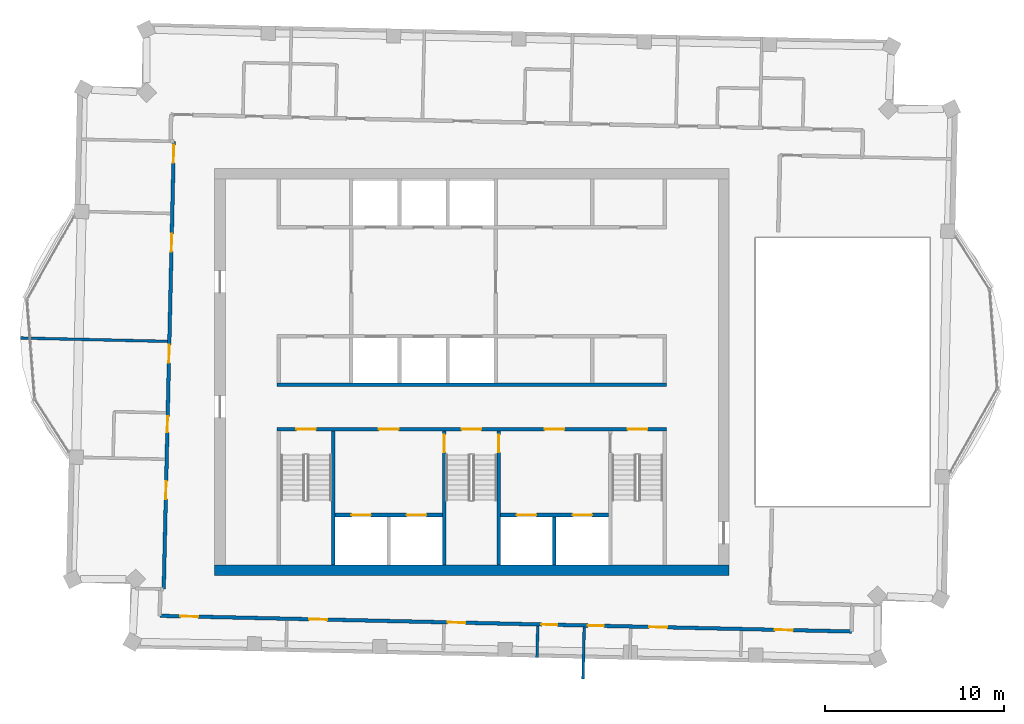
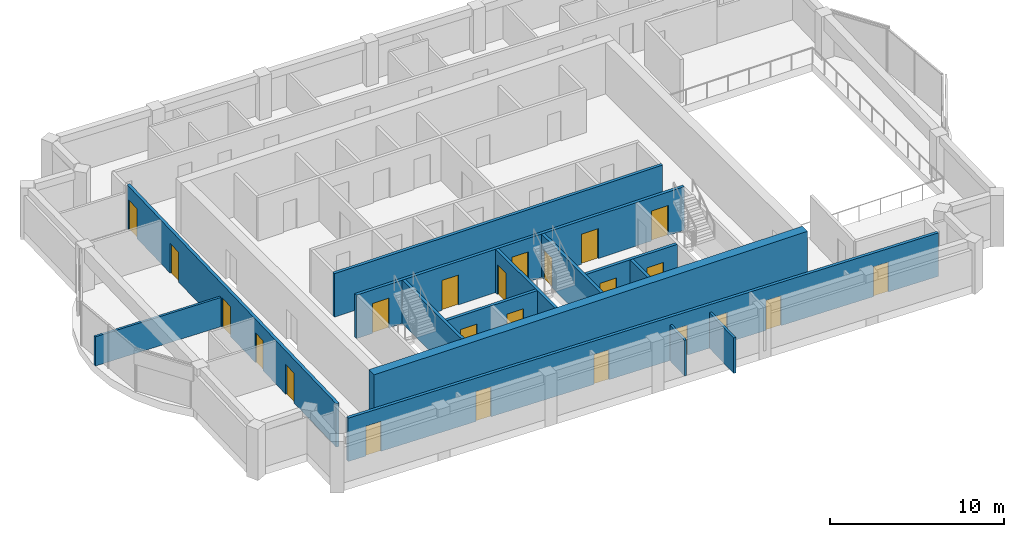
# One storey, part 7 of 12: 23 doors, 14 walls, 23 openings.
"""IFC4 building model written with IfcOpenShell, lengths in metres."""

from ifc_helpers import new_model, si_unit, direction, frame, frame_2d, origin, place, context, subcontext, project, spatial, rectangle, extrude, material, layer, layer_set, type_object, element, fill, save


model = new_model("IFC4")

# Units and contexts
model_context = context("Model", 3, precision=1e-05, world=origin(), true_north=direction((0.0, 1.0)))
body_context = subcontext(model_context, "Body", "Model", "MODEL_VIEW")
ifc_project = project(units=[si_unit("LENGTHUNIT", "METRE"), si_unit("AREAUNIT", "SQUARE_METRE"), si_unit("VOLUMEUNIT", "CUBIC_METRE"), si_unit("PLANEANGLEUNIT", "RADIAN"), si_unit("MASSUNIT", "GRAM", prefix="KILO")], contexts=[model_context])

# Site, building, storey
site_placement = place(None, origin())
site = spatial("IfcSite", under=ifc_project, at=site_placement, CompositionType="ELEMENT")
building_placement = place(site_placement, origin())
building = spatial("IfcBuilding", under=site, at=building_placement, Name="Mangrove Gate Tower", CompositionType="ELEMENT")
storey_placement = place(building_placement, frame((0.0, 0.0, 350.699951171875)))
storey = spatial("IfcBuildingStorey", under=building, at=storey_placement, Name="L89", CompositionType="ELEMENT", Elevation=350.699951171875)

# Wall
ifc_material_1 = material(Name="Concrete C50/60", Category="concrete")
ifc_layer_1 = layer(ifc_material_1, 0.199951171875)
ifc_layer_set_1 = layer_set([ifc_layer_1], Name="Core shaft wall 200 C50/60")
wall_type_1 = type_object("IfcWallType", Name="Core shaft wall 200 C50/60", PredefinedType="SHEAR", material=ifc_layer_set_1)
wall_1_placement = place(storey_placement, frame((-10.89990234375, -0.699951171875, 0.0), z_axis=(0.0, 0.0, 1.0), x_axis=(1.0, 0.0, 0.0)))
element("IfcWall", 1, at=wall_1_placement, inside=storey, type_object=wall_type_1, Name="WALL-L89-CORE-6", PredefinedType="SHEAR", context=body_context, shape_type="SweptSolid", body=[
    extrude(rectangle(XDim=21.7998046875, YDim=0.199951171875, at=frame_2d((10.89990234375, 0.0))), origin(), (0.0, 0.0, 1.0), 3.050048828125),
])

# Wall, openings, doors
wall_2_placement = place(storey_placement, frame((-7.64990234375, -8.0, 0.0), z_axis=(0.0, 0.0, 1.0), x_axis=(1.0, 0.0, 0.0)))
wall_2 = element("IfcWall", 2, at=wall_2_placement, inside=storey, type_object=wall_type_1, Name="WALL-L89-CORE-15", PredefinedType="SHEAR", context=body_context, shape_type="SweptSolid", body=[
    extrude(rectangle(XDim=6.0, YDim=0.199951171875, at=frame_2d((3.0, 0.0))), origin(), (0.0, 0.0, 1.0), 3.050048828125),
])
opening_1_placement = place(wall_2_placement, frame((0.89990234375, 0.0, 0.0)))
opening_1 = element("IfcOpeningElement", 3, at=opening_1_placement, cuts=wall_2, Name="Opening LD", PredefinedType="OPENING", context=body_context, shape_type="SweptSolid", body=[
    extrude(rectangle(XDim=1.10009765625, YDim=2.10009765625, at=frame_2d((0.550048828125, 1.050048828125))), frame((0.0, 0.10986328125, 0.0), z_axis=(0.0, -1.0, 0.0), x_axis=(1.0, 0.0, 0.0)), (0.0, 0.0, 1.0), 0.219970703125),
])
opening_2_placement = place(wall_2_placement, frame((4.0, 0.0, 0.0)))
opening_2 = element("IfcOpeningElement", 4, at=opening_2_placement, cuts=wall_2, Name="Opening LD", PredefinedType="OPENING", context=body_context, shape_type="SweptSolid", body=[
    extrude(rectangle(XDim=1.10009765625, YDim=2.10009765625, at=frame_2d((0.550048828125, 1.050048828125))), frame((0.0, 0.10986328125, 0.0), z_axis=(0.0, -1.0, 0.0), x_axis=(1.0, 0.0, 0.0)), (0.0, 0.0, 1.0), 0.219970703125),
])
ifc_material_2 = material(Name="Stainless steel 316", Category="steel")
door_type_1 = type_object("IfcDoorType", Name="Lift landing door 1100x2100", OperationType="SLIDING_TO_LEFT", PredefinedType="DOOR", material=ifc_material_2)
door_1_placement = place(opening_1_placement, origin())
door_1 = element("IfcDoor", 5, at=door_1_placement, inside=storey, type_object=door_type_1, Name="Landing door LD SVL1", OperationType="SLIDING_TO_LEFT", OverallHeight=2.10009765625, OverallWidth=1.10009765625, PredefinedType="DOOR", context=body_context, shape_type="SweptSolid", body=[
    extrude(rectangle(XDim=1.10009765625, YDim=2.10009765625, at=frame_2d((0.550048828125, 1.050048828125))), frame((0.0, 0.02490234375, 0.0), z_axis=(0.0, -1.0, 0.0), x_axis=(1.0, 0.0, 0.0)), (0.0, 0.0, 1.0), 0.050048828125),
])
fill(opening_1, door_1)
door_2_placement = place(opening_2_placement, origin())
door_2 = element("IfcDoor", 6, at=door_2_placement, inside=storey, type_object=door_type_1, Name="Landing door LD SVL2", OperationType="SLIDING_TO_LEFT", OverallHeight=2.10009765625, OverallWidth=1.10009765625, PredefinedType="DOOR", context=body_context, shape_type="SweptSolid", body=[
    extrude(rectangle(XDim=1.10009765625, YDim=2.10009765625, at=frame_2d((0.550048828125, 1.050048828125))), frame((0.0, 0.02490234375, 0.0), z_axis=(0.0, -1.0, 0.0), x_axis=(1.0, 0.0, 0.0)), (0.0, 0.0, 1.0), 0.050048828125),
])
fill(opening_2, door_2)

wall_3_placement = place(storey_placement, frame((1.60009765625, -8.0, 0.0), z_axis=(0.0, 0.0, 1.0), x_axis=(1.0, 0.0, 0.0)))
wall_3 = element("IfcWall", 7, at=wall_3_placement, inside=storey, type_object=wall_type_1, Name="WALL-L89-CORE-17", PredefinedType="SHEAR", context=body_context, shape_type="SweptSolid", body=[
    extrude(rectangle(XDim=6.0498046875, YDim=0.199951171875, at=frame_2d((3.02490234375, 0.0))), origin(), (0.0, 0.0, 1.0), 3.050048828125),
])
opening_3_placement = place(wall_3_placement, frame((0.91259765625, 0.0, 0.0)))
opening_3 = element("IfcOpeningElement", 8, at=opening_3_placement, cuts=wall_3, Name="Opening LD", PredefinedType="OPENING", context=body_context, shape_type="SweptSolid", body=[
    extrude(rectangle(XDim=1.10009765625, YDim=2.10009765625, at=frame_2d((0.550048828125, 1.050048828125))), frame((0.0, 0.10986328125, 0.0), z_axis=(0.0, -1.0, 0.0), x_axis=(1.0, 0.0, 0.0)), (0.0, 0.0, 1.0), 0.219970703125),
])
opening_4_placement = place(wall_3_placement, frame((4.03759765625, 0.0, 0.0)))
opening_4 = element("IfcOpeningElement", 9, at=opening_4_placement, cuts=wall_3, Name="Opening LD", PredefinedType="OPENING", context=body_context, shape_type="SweptSolid", body=[
    extrude(rectangle(XDim=1.10009765625, YDim=2.10009765625, at=frame_2d((0.550048828125, 1.050048828125))), frame((0.0, 0.10986328125, 0.0), z_axis=(0.0, -1.0, 0.0), x_axis=(1.0, 0.0, 0.0)), (0.0, 0.0, 1.0), 0.219970703125),
])
door_3_placement = place(opening_3_placement, origin())
door_3 = element("IfcDoor", 10, at=door_3_placement, inside=storey, type_object=door_type_1, Name="Landing door LD FFL1", OperationType="SLIDING_TO_LEFT", OverallHeight=2.10009765625, OverallWidth=1.10009765625, PredefinedType="DOOR", context=body_context, shape_type="SweptSolid", body=[
    extrude(rectangle(XDim=1.10009765625, YDim=2.10009765625, at=frame_2d((0.550048828125, 1.050048828125))), frame((0.0, 0.02490234375, 0.0), z_axis=(0.0, -1.0, 0.0), x_axis=(1.0, 0.0, 0.0)), (0.0, 0.0, 1.0), 0.050048828125),
])
fill(opening_3, door_3)
door_4_placement = place(opening_4_placement, origin())
door_4 = element("IfcDoor", 11, at=door_4_placement, inside=storey, type_object=door_type_1, Name="Landing door LD FFL2", OperationType="SLIDING_TO_LEFT", OverallHeight=2.10009765625, OverallWidth=1.10009765625, PredefinedType="DOOR", context=body_context, shape_type="SweptSolid", body=[
    extrude(rectangle(XDim=1.10009765625, YDim=2.10009765625, at=frame_2d((0.550048828125, 1.050048828125))), frame((0.0, 0.02490234375, 0.0), z_axis=(0.0, -1.0, 0.0), x_axis=(1.0, 0.0, 0.0)), (0.0, 0.0, 1.0), 0.050048828125),
])
fill(opening_4, door_4)

# Wall
wall_4_placement = place(storey_placement, frame((4.625, -10.800048828125, 0.0), z_axis=(0.0, 0.0, 1.0), x_axis=(0.0, 1.0, 0.0)))
element("IfcWall", 12, at=wall_4_placement, inside=storey, type_object=wall_type_1, Name="WALL-L89-CORE-18", PredefinedType="SHEAR", context=body_context, shape_type="SweptSolid", body=[
    extrude(rectangle(XDim=2.699951171875, YDim=0.199951171875, at=frame_2d((1.35009765625, 0.0))), origin(), (0.0, 0.0, 1.0), 3.050048828125),
])

# Wall, openings, doors
ifc_material_3 = material(Name="Concrete C50/60", Category="concrete")
ifc_layer_2 = layer(ifc_material_3, 0.199951171875)
ifc_layer_set_2 = layer_set([ifc_layer_2], Name="Core stair wall 200 C50/60")
wall_type_2 = type_object("IfcWallType", Name="Core stair wall 200 C50/60", PredefinedType="SHEAR", material=ifc_layer_set_2)
wall_5_placement = place(storey_placement, frame((-10.89990234375, -3.199951171875, 0.0), z_axis=(0.0, 0.0, 1.0), x_axis=(1.0, 0.0, 0.0)))
wall_5 = element("IfcWall", 13, at=wall_5_placement, inside=storey, type_object=wall_type_2, Name="WALL-L89-CORE-5", PredefinedType="SHEAR", context=body_context, shape_type="SweptSolid", body=[
    extrude(rectangle(XDim=21.7998046875, YDim=0.199951171875, at=frame_2d((10.89990234375, 0.0))), origin(), (0.0, 0.0, 1.0), 3.050048828125),
])
opening_5_placement = place(wall_5_placement, frame((1.074951171875, 0.0, 0.0)))
opening_5 = element("IfcOpeningElement", 14, at=opening_5_placement, cuts=wall_5, Name="Opening STD11", PredefinedType="OPENING", context=body_context, shape_type="SweptSolid", body=[
    extrude(rectangle(XDim=1.10009765625, YDim=2.10009765625, at=frame_2d((0.550048828125, 1.050048828125))), frame((0.0, 0.10986328125, 0.0), z_axis=(0.0, -1.0, 0.0), x_axis=(1.0, 0.0, 0.0)), (0.0, 0.0, 1.0), 0.219970703125),
])
opening_6_placement = place(wall_5_placement, frame((10.324951171875, 0.0, 0.0)))
opening_6 = element("IfcOpeningElement", 15, at=opening_6_placement, cuts=wall_5, Name="Opening STD11", PredefinedType="OPENING", context=body_context, shape_type="SweptSolid", body=[
    extrude(rectangle(XDim=1.10009765625, YDim=2.10009765625, at=frame_2d((0.550048828125, 1.050048828125))), frame((0.0, 0.10986328125, 0.0), z_axis=(0.0, -1.0, 0.0), x_axis=(1.0, 0.0, 0.0)), (0.0, 0.0, 1.0), 0.219970703125),
])
opening_7_placement = place(wall_5_placement, frame((19.625, 0.0, 0.0)))
opening_7 = element("IfcOpeningElement", 16, at=opening_7_placement, cuts=wall_5, Name="Opening STD11", PredefinedType="OPENING", context=body_context, shape_type="SweptSolid", body=[
    extrude(rectangle(XDim=1.10009765625, YDim=2.10009765625, at=frame_2d((0.550048828125, 1.050048828125))), frame((0.0, 0.10986328125, 0.0), z_axis=(0.0, -1.0, 0.0), x_axis=(1.0, 0.0, 0.0)), (0.0, 0.0, 1.0), 0.219970703125),
])
opening_8_placement = place(wall_5_placement, frame((5.699951171875, 0.0, 0.0)))
opening_8 = element("IfcOpeningElement", 17, at=opening_8_placement, cuts=wall_5, Name="Opening FL", PredefinedType="OPENING", context=body_context, shape_type="SweptSolid", body=[
    extrude(rectangle(XDim=1.10009765625, YDim=2.10009765625, at=frame_2d((0.550048828125, 1.050048828125))), frame((0.0, 0.10986328125, 0.0), z_axis=(0.0, -1.0, 0.0), x_axis=(1.0, 0.0, 0.0)), (0.0, 0.0, 1.0), 0.219970703125),
])
opening_9_placement = place(wall_5_placement, frame((14.97509765625, 0.0, 0.0)))
opening_9 = element("IfcOpeningElement", 18, at=opening_9_placement, cuts=wall_5, Name="Opening FL", PredefinedType="OPENING", context=body_context, shape_type="SweptSolid", body=[
    extrude(rectangle(XDim=1.10009765625, YDim=2.10009765625, at=frame_2d((0.550048828125, 1.050048828125))), frame((0.0, 0.10986328125, 0.0), z_axis=(0.0, -1.0, 0.0), x_axis=(1.0, 0.0, 0.0)), (0.0, 0.0, 1.0), 0.219970703125),
])
ifc_material_4 = material(Name="Fire-rated steel door set", Category="steel")
door_type_2 = type_object("IfcDoorType", Name="Lobby door FD60 1100x2100", OperationType="SINGLE_SWING_LEFT", PredefinedType="DOOR", material=ifc_material_4)
door_5_placement = place(opening_8_placement, origin())
door_5 = element("IfcDoor", 19, at=door_5_placement, inside=storey, type_object=door_type_2, Name="Lobby door service lobby", OperationType="SINGLE_SWING_LEFT", OverallHeight=2.10009765625, OverallWidth=1.10009765625, PredefinedType="DOOR", context=body_context, shape_type="SweptSolid", body=[
    extrude(rectangle(XDim=1.10009765625, YDim=2.10009765625, at=frame_2d((0.550048828125, 1.050048828125))), frame((0.0, 0.02490234375, 0.0), z_axis=(0.0, -1.0, 0.0), x_axis=(1.0, 0.0, 0.0)), (0.0, 0.0, 1.0), 0.050048828125),
])
fill(opening_8, door_5)
door_6_placement = place(opening_9_placement, origin())
door_6 = element("IfcDoor", 20, at=door_6_placement, inside=storey, type_object=door_type_2, Name="Lobby door fire-fighting lobby", OperationType="SINGLE_SWING_LEFT", OverallHeight=2.10009765625, OverallWidth=1.10009765625, PredefinedType="DOOR", context=body_context, shape_type="SweptSolid", body=[
    extrude(rectangle(XDim=1.10009765625, YDim=2.10009765625, at=frame_2d((0.550048828125, 1.050048828125))), frame((0.0, 0.02490234375, 0.0), z_axis=(0.0, -1.0, 0.0), x_axis=(1.0, 0.0, 0.0)), (0.0, 0.0, 1.0), 0.050048828125),
])
fill(opening_9, door_6)
ifc_material_5 = material(Name="Fire-rated steel door set", Category="steel")
door_type_3 = type_object("IfcDoorType", Name="Stair door FD60 1100x2100", OperationType="SINGLE_SWING_RIGHT", PredefinedType="DOOR", material=ifc_material_5)
door_7_placement = place(opening_5_placement, origin())
door_7 = element("IfcDoor", 21, at=door_7_placement, inside=storey, type_object=door_type_3, Name="Stair door Stair 1", OperationType="SINGLE_SWING_RIGHT", OverallHeight=2.10009765625, OverallWidth=1.10009765625, PredefinedType="DOOR", context=body_context, shape_type="SweptSolid", body=[
    extrude(rectangle(XDim=1.10009765625, YDim=2.10009765625, at=frame_2d((0.550048828125, 1.050048828125))), frame((0.0, 0.02490234375, 0.0), z_axis=(0.0, -1.0, 0.0), x_axis=(1.0, 0.0, 0.0)), (0.0, 0.0, 1.0), 0.050048828125),
])
fill(opening_5, door_7)
door_8_placement = place(opening_6_placement, origin())
door_8 = element("IfcDoor", 22, at=door_8_placement, inside=storey, type_object=door_type_3, Name="Stair door Stair 2", OperationType="SINGLE_SWING_RIGHT", OverallHeight=2.10009765625, OverallWidth=1.10009765625, PredefinedType="DOOR", context=body_context, shape_type="SweptSolid", body=[
    extrude(rectangle(XDim=1.10009765625, YDim=2.10009765625, at=frame_2d((0.550048828125, 1.050048828125))), frame((0.0, 0.02490234375, 0.0), z_axis=(0.0, -1.0, 0.0), x_axis=(1.0, 0.0, 0.0)), (0.0, 0.0, 1.0), 0.050048828125),
])
fill(opening_6, door_8)
door_9_placement = place(opening_7_placement, origin())
door_9 = element("IfcDoor", 23, at=door_9_placement, inside=storey, type_object=door_type_3, Name="Stair door Stair 3", OperationType="SINGLE_SWING_RIGHT", OverallHeight=2.10009765625, OverallWidth=1.10009765625, PredefinedType="DOOR", context=body_context, shape_type="SweptSolid", body=[
    extrude(rectangle(XDim=1.10009765625, YDim=2.10009765625, at=frame_2d((0.550048828125, 1.050048828125))), frame((0.0, 0.02490234375, 0.0), z_axis=(0.0, -1.0, 0.0), x_axis=(1.0, 0.0, 0.0)), (0.0, 0.0, 1.0), 0.050048828125),
])
fill(opening_7, door_9)

# Wall
wall_6_placement = place(storey_placement, frame((-7.75, -10.800048828125, 0.0), z_axis=(0.0, 0.0, 1.0), x_axis=(0.0, 1.0, 0.0)))
element("IfcWall", 24, at=wall_6_placement, inside=storey, type_object=wall_type_2, Name="WALL-L89-CORE-10", PredefinedType="SHEAR", context=body_context, shape_type="SweptSolid", body=[
    extrude(rectangle(XDim=7.5, YDim=0.199951171875, at=frame_2d((3.75, 0.0))), origin(), (0.0, 0.0, 1.0), 3.050048828125),
])

# Wall, opening, door
wall_7_placement = place(storey_placement, frame((-1.550048828125, -10.800048828125, 0.0), z_axis=(0.0, 0.0, 1.0), x_axis=(0.0, 1.0, 0.0)))
wall_7 = element("IfcWall", 25, at=wall_7_placement, inside=storey, type_object=wall_type_2, Name="WALL-L89-CORE-11", PredefinedType="SHEAR", context=body_context, shape_type="SweptSolid", body=[
    extrude(rectangle(XDim=7.5, YDim=0.199951171875, at=frame_2d((3.75, 0.0))), origin(), (0.0, 0.0, 1.0), 3.050048828125),
])
opening_10_placement = place(wall_7_placement, frame((6.300048828125, 0.0, 0.0)))
opening_10 = element("IfcOpeningElement", 26, at=opening_10_placement, cuts=wall_7, Name="Opening STD10", PredefinedType="OPENING", context=body_context, shape_type="SweptSolid", body=[
    extrude(rectangle(XDim=1.0, YDim=2.10009765625, at=frame_2d((0.5, 1.050048828125))), frame((0.0, 0.10986328125, 0.0), z_axis=(0.0, -1.0, 0.0), x_axis=(1.0, 0.0, 0.0)), (0.0, 0.0, 1.0), 0.219970703125),
])
ifc_material_6 = material(Name="Fire-rated steel door set", Category="steel")
door_type_4 = type_object("IfcDoorType", Name="Stair door FD60 1000x2100", OperationType="SINGLE_SWING_RIGHT", PredefinedType="DOOR", material=ifc_material_6)
door_10_placement = place(opening_10_placement, origin())
door_10 = element("IfcDoor", 27, at=door_10_placement, inside=storey, type_object=door_type_4, Name="Stair door Stair 2 from service lobby", OperationType="SINGLE_SWING_RIGHT", OverallHeight=2.10009765625, OverallWidth=1.0, PredefinedType="DOOR", context=body_context, shape_type="SweptSolid", body=[
    extrude(rectangle(XDim=1.0, YDim=2.10009765625, at=frame_2d((0.5, 1.050048828125))), frame((0.0, 0.02490234375, 0.0), z_axis=(0.0, -1.0, 0.0), x_axis=(1.0, 0.0, 0.0)), (0.0, 0.0, 1.0), 0.050048828125),
])
fill(opening_10, door_10)

wall_8_placement = place(storey_placement, frame((1.5, -10.800048828125, 0.0), z_axis=(0.0, 0.0, 1.0), x_axis=(0.0, 1.0, 0.0)))
wall_8 = element("IfcWall", 28, at=wall_8_placement, inside=storey, type_object=wall_type_2, Name="WALL-L89-CORE-12", PredefinedType="SHEAR", context=body_context, shape_type="SweptSolid", body=[
    extrude(rectangle(XDim=7.5, YDim=0.199951171875, at=frame_2d((3.75, 0.0))), origin(), (0.0, 0.0, 1.0), 3.050048828125),
])
opening_11_placement = place(wall_8_placement, frame((6.300048828125, 0.0, 0.0)))
opening_11 = element("IfcOpeningElement", 29, at=opening_11_placement, cuts=wall_8, Name="Opening STD10", PredefinedType="OPENING", context=body_context, shape_type="SweptSolid", body=[
    extrude(rectangle(XDim=1.0, YDim=2.10009765625, at=frame_2d((0.5, 1.050048828125))), frame((0.0, 0.10986328125, 0.0), z_axis=(0.0, -1.0, 0.0), x_axis=(1.0, 0.0, 0.0)), (0.0, 0.0, 1.0), 0.219970703125),
])
door_11_placement = place(opening_11_placement, origin())
door_11 = element("IfcDoor", 30, at=door_11_placement, inside=storey, type_object=door_type_4, Name="Stair door Stair 2 from fire-fighting lobby", OperationType="SINGLE_SWING_RIGHT", OverallHeight=2.10009765625, OverallWidth=1.0, PredefinedType="DOOR", context=body_context, shape_type="SweptSolid", body=[
    extrude(rectangle(XDim=1.0, YDim=2.10009765625, at=frame_2d((0.5, 1.050048828125))), frame((0.0, 0.02490234375, 0.0), z_axis=(0.0, -1.0, 0.0), x_axis=(1.0, 0.0, 0.0)), (0.0, 0.0, 1.0), 0.050048828125),
])
fill(opening_11, door_11)

# Wall
ifc_material_7 = material(Name="Concrete C50/60", Category="concrete")
ifc_layer_3 = layer(ifc_material_7, 0.60009765625)
ifc_layer_set_3 = layer_set([ifc_layer_3], Name="Core wall 600 C50/60")
wall_type_3 = type_object("IfcWallType", Name="Core wall 600 C50/60", PredefinedType="SHEAR", material=ifc_layer_set_3)
wall_9_placement = place(storey_placement, frame((-14.39990234375, -11.10009765625, 0.0), z_axis=(0.0, 0.0, 1.0), x_axis=(1.0, 0.0, 0.0)))
element("IfcWall", 31, at=wall_9_placement, inside=storey, type_object=wall_type_3, Name="WALL-L89-CORE-1", PredefinedType="SHEAR", context=body_context, shape_type="SweptSolid", body=[
    extrude(rectangle(XDim=28.7998046875, YDim=0.60009765625, at=frame_2d((14.39990234375, 0.0))), origin(), (0.0, 0.0, 1.0), 3.60009765625),
])

# Wall, openings, doors
ifc_material_8 = material(Name="Gypsum board on steel stud, EI 60", Category="steel")
ifc_layer_4 = layer(ifc_material_8, 0.199951171875)
ifc_layer_set_4 = layer_set([ifc_layer_4], Name="Corridor wall EI 60")
wall_type_4 = type_object("IfcWallType", Name="Corridor wall EI 60", PredefinedType="PARTITIONING", material=ifc_layer_set_4)
wall_10_placement = place(storey_placement, frame((-17.468017578125, -13.64404296875, 0.0), z_axis=(0.0, 0.0, 1.0), x_axis=(0.999742531431, -0.022690765715, 0.0)))
wall_10 = element("IfcWall", 32, at=wall_10_placement, inside=storey, type_object=wall_type_4, Name="WALL-L89-008", PredefinedType="PARTITIONING", context=body_context, shape_type="SweptSolid", body=[
    extrude(rectangle(XDim=38.734130859375, YDim=0.199951171875, at=frame_2d((19.3671875, 0.0))), origin(), (0.0, 0.0, 1.0), 3.050048828125),
])
opening_12_placement = place(wall_10_placement, frame((1.154052734375, 0.0, 0.0)))
opening_12 = element("IfcOpeningElement", 33, at=opening_12_placement, cuts=wall_10, Name="Opening AD", PredefinedType="OPENING", context=body_context, shape_type="SweptSolid", body=[
    extrude(rectangle(XDim=1.0, YDim=2.10009765625, at=frame_2d((0.5, 1.050048828125))), frame((0.0, 0.10986328125, 0.0), z_axis=(0.0, -1.0, 0.0), x_axis=(1.0, 0.0, 0.0)), (0.0, 0.0, 1.0), 0.219970703125),
])
opening_13_placement = place(wall_10_placement, frame((8.366943359375, 0.0, 0.0)))
opening_13 = element("IfcOpeningElement", 34, at=opening_13_placement, cuts=wall_10, Name="Opening AD", PredefinedType="OPENING", context=body_context, shape_type="SweptSolid", body=[
    extrude(rectangle(XDim=1.0, YDim=2.10009765625, at=frame_2d((0.5, 1.050048828125))), frame((0.0, 0.10986328125, 0.0), z_axis=(0.0, -1.0, 0.0), x_axis=(1.0, 0.0, 0.0)), (0.0, 0.0, 1.0), 0.219970703125),
])
opening_14_placement = place(wall_10_placement, frame((16.116943359375, 0.0, 0.0)))
opening_14 = element("IfcOpeningElement", 35, at=opening_14_placement, cuts=wall_10, Name="Opening AD", PredefinedType="OPENING", context=body_context, shape_type="SweptSolid", body=[
    extrude(rectangle(XDim=1.0, YDim=2.10009765625, at=frame_2d((0.5, 1.050048828125))), frame((0.0, 0.10986328125, 0.0), z_axis=(0.0, -1.0, 0.0), x_axis=(1.0, 0.0, 0.0)), (0.0, 0.0, 1.0), 0.219970703125),
])
opening_15_placement = place(wall_10_placement, frame((21.366943359375, 0.0, 0.0)))
opening_15 = element("IfcOpeningElement", 36, at=opening_15_placement, cuts=wall_10, Name="Opening SD", PredefinedType="OPENING", context=body_context, shape_type="SweptSolid", body=[
    extrude(rectangle(XDim=0.89990234375, YDim=2.10009765625, at=frame_2d((0.449951171875, 1.050048828125))), frame((0.0, 0.10986328125, 0.0), z_axis=(0.0, -1.0, 0.0), x_axis=(1.0, 0.0, 0.0)), (0.0, 0.0, 1.0), 0.219970703125),
])
opening_16_placement = place(wall_10_placement, frame((27.403076171875, 0.0, 0.0)))
opening_16 = element("IfcOpeningElement", 37, at=opening_16_placement, cuts=wall_10, Name="Opening AD", PredefinedType="OPENING", context=body_context, shape_type="SweptSolid", body=[
    extrude(rectangle(XDim=1.0, YDim=2.10009765625, at=frame_2d((0.5, 1.050048828125))), frame((0.0, 0.10986328125, 0.0), z_axis=(0.0, -1.0, 0.0), x_axis=(1.0, 0.0, 0.0)), (0.0, 0.0, 1.0), 0.219970703125),
])
opening_17_placement = place(wall_10_placement, frame((23.967041015625, 0.0, 0.0)))
opening_17 = element("IfcOpeningElement", 38, at=opening_17_placement, cuts=wall_10, Name="Opening SD", PredefinedType="OPENING", context=body_context, shape_type="SweptSolid", body=[
    extrude(rectangle(XDim=0.89990234375, YDim=2.10009765625, at=frame_2d((0.449951171875, 1.050048828125))), frame((0.0, 0.10986328125, 0.0), z_axis=(0.0, -1.0, 0.0), x_axis=(1.0, 0.0, 0.0)), (0.0, 0.0, 1.0), 0.219970703125),
])
opening_18_placement = place(wall_10_placement, frame((34.445068359375, 0.0, 0.0)))
opening_18 = element("IfcOpeningElement", 39, at=opening_18_placement, cuts=wall_10, Name="Opening AD", PredefinedType="OPENING", context=body_context, shape_type="SweptSolid", body=[
    extrude(rectangle(XDim=1.0, YDim=2.10009765625, at=frame_2d((0.5, 1.050048828125))), frame((0.0, 0.10986328125, 0.0), z_axis=(0.0, -1.0, 0.0), x_axis=(1.0, 0.0, 0.0)), (0.0, 0.0, 1.0), 0.219970703125),
])
ifc_material_9 = material(Name="Timber door leaf", Category="wood")
door_type_5 = type_object("IfcDoorType", Name="Amenity door 1000", OperationType="SINGLE_SWING_LEFT", PredefinedType="DOOR", material=ifc_material_9)
door_12_placement = place(opening_12_placement, origin())
door_12 = element("IfcDoor", 40, at=door_12_placement, inside=storey, type_object=door_type_5, Name="DOOR-L89-LNG-c1a", OperationType="SINGLE_SWING_LEFT", OverallHeight=2.10009765625, OverallWidth=1.0, PredefinedType="DOOR", context=body_context, shape_type="SweptSolid", body=[
    extrude(rectangle(XDim=1.0, YDim=2.10009765625, at=frame_2d((0.5, 1.050048828125))), frame((0.0, 0.02490234375, 0.0), z_axis=(0.0, -1.0, 0.0), x_axis=(1.0, 0.0, 0.0)), (0.0, 0.0, 1.0), 0.050048828125),
])
fill(opening_12, door_12)
door_13_placement = place(opening_13_placement, origin())
door_13 = element("IfcDoor", 41, at=door_13_placement, inside=storey, type_object=door_type_5, Name="DOOR-L89-LNG-c1b", OperationType="SINGLE_SWING_RIGHT", OverallHeight=2.10009765625, OverallWidth=1.0, PredefinedType="DOOR", context=body_context, shape_type="SweptSolid", body=[
    extrude(rectangle(XDim=1.0, YDim=2.10009765625, at=frame_2d((0.5, 1.050048828125))), frame((0.0, 0.02490234375, 0.0), z_axis=(0.0, -1.0, 0.0), x_axis=(1.0, 0.0, 0.0)), (0.0, 0.0, 1.0), 0.050048828125),
])
fill(opening_13, door_13)
door_14_placement = place(opening_14_placement, origin())
door_14 = element("IfcDoor", 42, at=door_14_placement, inside=storey, type_object=door_type_5, Name="DOOR-L89-GAM-c1a", OperationType="SINGLE_SWING_LEFT", OverallHeight=2.10009765625, OverallWidth=1.0, PredefinedType="DOOR", context=body_context, shape_type="SweptSolid", body=[
    extrude(rectangle(XDim=1.0, YDim=2.10009765625, at=frame_2d((0.5, 1.050048828125))), frame((0.0, 0.02490234375, 0.0), z_axis=(0.0, -1.0, 0.0), x_axis=(1.0, 0.0, 0.0)), (0.0, 0.0, 1.0), 0.050048828125),
])
fill(opening_14, door_14)
door_15_placement = place(opening_16_placement, origin())
door_15 = element("IfcDoor", 43, at=door_15_placement, inside=storey, type_object=door_type_5, Name="DOOR-L89-LNG-c1c", OperationType="SINGLE_SWING_RIGHT", OverallHeight=2.10009765625, OverallWidth=1.0, PredefinedType="DOOR", context=body_context, shape_type="SweptSolid", body=[
    extrude(rectangle(XDim=1.0, YDim=2.10009765625, at=frame_2d((0.5, 1.050048828125))), frame((0.0, 0.02490234375, 0.0), z_axis=(0.0, -1.0, 0.0), x_axis=(1.0, 0.0, 0.0)), (0.0, 0.0, 1.0), 0.050048828125),
])
fill(opening_16, door_15)
door_16_placement = place(opening_18_placement, origin())
door_16 = element("IfcDoor", 44, at=door_16_placement, inside=storey, type_object=door_type_5, Name="DOOR-L89-GAM-c2a", OperationType="SINGLE_SWING_LEFT", OverallHeight=2.10009765625, OverallWidth=1.0, PredefinedType="DOOR", context=body_context, shape_type="SweptSolid", body=[
    extrude(rectangle(XDim=1.0, YDim=2.10009765625, at=frame_2d((0.5, 1.050048828125))), frame((0.0, 0.02490234375, 0.0), z_axis=(0.0, -1.0, 0.0), x_axis=(1.0, 0.0, 0.0)), (0.0, 0.0, 1.0), 0.050048828125),
])
fill(opening_18, door_16)
ifc_material_10 = material(Name="Timber door leaf", Category="wood")
door_type_6 = type_object("IfcDoorType", Name="Service room door 900", OperationType="SINGLE_SWING_LEFT", PredefinedType="DOOR", material=ifc_material_10)
door_17_placement = place(opening_15_placement, origin())
door_17 = element("IfcDoor", 45, at=door_17_placement, inside=storey, type_object=door_type_6, Name="DOOR-L89-AWC-c1a", OperationType="SINGLE_SWING_LEFT", OverallHeight=2.10009765625, OverallWidth=0.89990234375, PredefinedType="DOOR", context=body_context, shape_type="SweptSolid", body=[
    extrude(rectangle(XDim=0.89990234375, YDim=2.10009765625, at=frame_2d((0.449951171875, 1.050048828125))), frame((0.0, 0.02490234375, 0.0), z_axis=(0.0, -1.0, 0.0), x_axis=(1.0, 0.0, 0.0)), (0.0, 0.0, 1.0), 0.050048828125),
])
fill(opening_15, door_17)
door_18_placement = place(opening_17_placement, origin())
door_18 = element("IfcDoor", 46, at=door_18_placement, inside=storey, type_object=door_type_6, Name="DOOR-L89-AWC-c1b", OperationType="SINGLE_SWING_RIGHT", OverallHeight=2.10009765625, OverallWidth=0.89990234375, PredefinedType="DOOR", context=body_context, shape_type="SweptSolid", body=[
    extrude(rectangle(XDim=0.89990234375, YDim=2.10009765625, at=frame_2d((0.449951171875, 1.050048828125))), frame((0.0, 0.02490234375, 0.0), z_axis=(0.0, -1.0, 0.0), x_axis=(1.0, 0.0, 0.0)), (0.0, 0.0, 1.0), 0.050048828125),
])
fill(opening_17, door_18)

wall_11_placement = place(storey_placement, frame((-17.2470703125, -12.14892578125, 0.0), z_axis=(0.0, 0.0, 1.0), x_axis=(0.022696191528, 0.999742408268, 0.0)))
wall_11 = element("IfcWall", 47, at=wall_11_placement, inside=storey, type_object=wall_type_4, Name="WALL-L89-012", PredefinedType="PARTITIONING", context=body_context, shape_type="SweptSolid", body=[
    extrude(rectangle(XDim=25.07421875, YDim=0.199951171875, at=frame_2d((12.537109375, 0.0))), origin(), (0.0, 0.0, 1.0), 3.050048828125),
])
opening_19_placement = place(wall_11_placement, frame((23.8740234375, 0.0, 0.0)))
opening_19 = element("IfcOpeningElement", 48, at=opening_19_placement, cuts=wall_11, Name="Opening AD", PredefinedType="OPENING", context=body_context, shape_type="SweptSolid", body=[
    extrude(rectangle(XDim=1.0, YDim=2.10009765625, at=frame_2d((0.5, 1.050048828125))), frame((0.0, 0.10986328125, 0.0), z_axis=(0.0, -1.0, 0.0), x_axis=(1.0, 0.0, 0.0)), (0.0, 0.0, 1.0), 0.219970703125),
])
opening_20_placement = place(wall_11_placement, frame((18.89599609375, 0.0, 0.0)))
opening_20 = element("IfcOpeningElement", 49, at=opening_20_placement, cuts=wall_11, Name="Opening AD", PredefinedType="OPENING", context=body_context, shape_type="SweptSolid", body=[
    extrude(rectangle(XDim=1.0, YDim=2.10009765625, at=frame_2d((0.5, 1.050048828125))), frame((0.0, 0.10986328125, 0.0), z_axis=(0.0, -1.0, 0.0), x_axis=(1.0, 0.0, 0.0)), (0.0, 0.0, 1.0), 0.219970703125),
])
opening_21_placement = place(wall_11_placement, frame((12.675048828125, 0.0, 0.0)))
opening_21 = element("IfcOpeningElement", 50, at=opening_21_placement, cuts=wall_11, Name="Opening AD", PredefinedType="OPENING", context=body_context, shape_type="SweptSolid", body=[
    extrude(rectangle(XDim=1.0, YDim=2.10009765625, at=frame_2d((0.5, 1.050048828125))), frame((0.0, 0.10986328125, 0.0), z_axis=(0.0, -1.0, 0.0), x_axis=(1.0, 0.0, 0.0)), (0.0, 0.0, 1.0), 0.219970703125),
])
opening_22_placement = place(wall_11_placement, frame((8.77490234375, 0.0, 0.0)))
opening_22 = element("IfcOpeningElement", 51, at=opening_22_placement, cuts=wall_11, Name="Opening SD", PredefinedType="OPENING", context=body_context, shape_type="SweptSolid", body=[
    extrude(rectangle(XDim=0.89990234375, YDim=2.10009765625, at=frame_2d((0.449951171875, 1.050048828125))), frame((0.0, 0.10986328125, 0.0), z_axis=(0.0, -1.0, 0.0), x_axis=(1.0, 0.0, 0.0)), (0.0, 0.0, 1.0), 0.219970703125),
])
opening_23_placement = place(wall_11_placement, frame((5.044921875, 0.0, 0.0)))
opening_23 = element("IfcOpeningElement", 52, at=opening_23_placement, cuts=wall_11, Name="Opening AD", PredefinedType="OPENING", context=body_context, shape_type="SweptSolid", body=[
    extrude(rectangle(XDim=1.0, YDim=2.10009765625, at=frame_2d((0.5, 1.050048828125))), frame((0.0, 0.10986328125, 0.0), z_axis=(0.0, -1.0, 0.0), x_axis=(1.0, 0.0, 0.0)), (0.0, 0.0, 1.0), 0.219970703125),
])
door_19_placement = place(opening_19_placement, origin())
door_19 = element("IfcDoor", 53, at=door_19_placement, inside=storey, type_object=door_type_5, Name="DOOR-L89-GAM-c4b", OperationType="SINGLE_SWING_RIGHT", OverallHeight=2.10009765625, OverallWidth=1.0, PredefinedType="DOOR", context=body_context, shape_type="SweptSolid", body=[
    extrude(rectangle(XDim=1.0, YDim=2.10009765625, at=frame_2d((0.5, 1.050048828125))), frame((0.0, 0.02490234375, 0.0), z_axis=(0.0, -1.0, 0.0), x_axis=(1.0, 0.0, 0.0)), (0.0, 0.0, 1.0), 0.050048828125),
])
fill(opening_19, door_19)
door_20_placement = place(opening_20_placement, origin())
door_20 = element("IfcDoor", 54, at=door_20_placement, inside=storey, type_object=door_type_5, Name="DOOR-L89-LNG-c5a", OperationType="SINGLE_SWING_LEFT", OverallHeight=2.10009765625, OverallWidth=1.0, PredefinedType="DOOR", context=body_context, shape_type="SweptSolid", body=[
    extrude(rectangle(XDim=1.0, YDim=2.10009765625, at=frame_2d((0.5, 1.050048828125))), frame((0.0, 0.02490234375, 0.0), z_axis=(0.0, -1.0, 0.0), x_axis=(1.0, 0.0, 0.0)), (0.0, 0.0, 1.0), 0.050048828125),
])
fill(opening_20, door_20)
door_21_placement = place(opening_21_placement, origin())
door_21 = element("IfcDoor", 55, at=door_21_placement, inside=storey, type_object=door_type_5, Name="DOOR-L89-GAM-c5a", OperationType="SINGLE_SWING_RIGHT", OverallHeight=2.10009765625, OverallWidth=1.0, PredefinedType="DOOR", context=body_context, shape_type="SweptSolid", body=[
    extrude(rectangle(XDim=1.0, YDim=2.10009765625, at=frame_2d((0.5, 1.050048828125))), frame((0.0, 0.02490234375, 0.0), z_axis=(0.0, -1.0, 0.0), x_axis=(1.0, 0.0, 0.0)), (0.0, 0.0, 1.0), 0.050048828125),
])
fill(opening_21, door_21)
door_22_placement = place(opening_23_placement, origin())
door_22 = element("IfcDoor", 56, at=door_22_placement, inside=storey, type_object=door_type_5, Name="DOOR-L89-GAM-c5b", OperationType="SINGLE_SWING_LEFT", OverallHeight=2.10009765625, OverallWidth=1.0, PredefinedType="DOOR", context=body_context, shape_type="SweptSolid", body=[
    extrude(rectangle(XDim=1.0, YDim=2.10009765625, at=frame_2d((0.5, 1.050048828125))), frame((0.0, 0.02490234375, 0.0), z_axis=(0.0, -1.0, 0.0), x_axis=(1.0, 0.0, 0.0)), (0.0, 0.0, 1.0), 0.050048828125),
])
fill(opening_23, door_22)
door_23_placement = place(opening_22_placement, origin())
door_23 = element("IfcDoor", 57, at=door_23_placement, inside=storey, type_object=door_type_6, Name="DOOR-L89-AWC-c5a", OperationType="SINGLE_SWING_RIGHT", OverallHeight=2.10009765625, OverallWidth=0.89990234375, PredefinedType="DOOR", context=body_context, shape_type="SweptSolid", body=[
    extrude(rectangle(XDim=0.89990234375, YDim=2.10009765625, at=frame_2d((0.449951171875, 1.050048828125))), frame((0.0, 0.02490234375, 0.0), z_axis=(0.0, -1.0, 0.0), x_axis=(1.0, 0.0, 0.0)), (0.0, 0.0, 1.0), 0.050048828125),
])
fill(opening_22, door_23)

# Walls
ifc_material_11 = material(Name="Gypsum board on steel stud, EI 60", Category="steel")
ifc_layer_5 = layer(ifc_material_11, 0.14990234375)
ifc_layer_set_5 = layer_set([ifc_layer_5], Name="Party wall 150 EI 60")
wall_type_5 = type_object("IfcWallType", Name="Party wall 150 EI 60", PredefinedType="PARTITIONING", material=ifc_layer_set_5)
wall_12_placement = place(storey_placement, frame((6.22509765625, -17.181884765625, 0.0), z_axis=(0.0, 0.0, 1.0), x_axis=(0.022732880677, 0.999741574676, 0.0)))
element("IfcWall", 58, at=wall_12_placement, inside=storey, type_object=wall_type_5, Name="WALL-L89-001", PredefinedType="PARTITIONING", context=body_context, shape_type="SweptSolid", body=[
    extrude(rectangle(XDim=2.899658203125, YDim=0.14990234375, at=frame_2d((1.44970703125, 0.0))), origin(), (0.0, 0.0, 1.0), 2.5),
])
wall_13_placement = place(storey_placement, frame((3.65087890625, -15.97802734375, 0.0), z_axis=(0.0, 0.0, 1.0), x_axis=(0.022822561686, 0.999739531417, 0.0)))
element("IfcWall", 59, at=wall_13_placement, inside=storey, type_object=wall_type_5, Name="WALL-L89-002", PredefinedType="PARTITIONING", context=body_context, shape_type="SweptSolid", body=[
    extrude(rectangle(XDim=1.75439453125, YDim=0.14990234375, at=frame_2d((0.877197265625, 0.0))), origin(), (0.0, 0.0, 1.0), 2.5),
])
wall_14_placement = place(storey_placement, frame((-25.27197265625, 1.906982421875, 0.0), z_axis=(0.0, 0.0, 1.0), x_axis=(0.999742492772, -0.022692468944, 0.0)))
element("IfcWall", 60, at=wall_14_placement, inside=storey, type_object=wall_type_5, Name="WALL-L89-019", PredefinedType="PARTITIONING", context=body_context, shape_type="SweptSolid", body=[
    extrude(rectangle(XDim=8.2412109375, YDim=0.14990234375, at=frame_2d((4.12060546875, 0.0))), origin(), (0.0, 0.0, 1.0), 2.050048828125),
])

save(model, "model.ifc")
